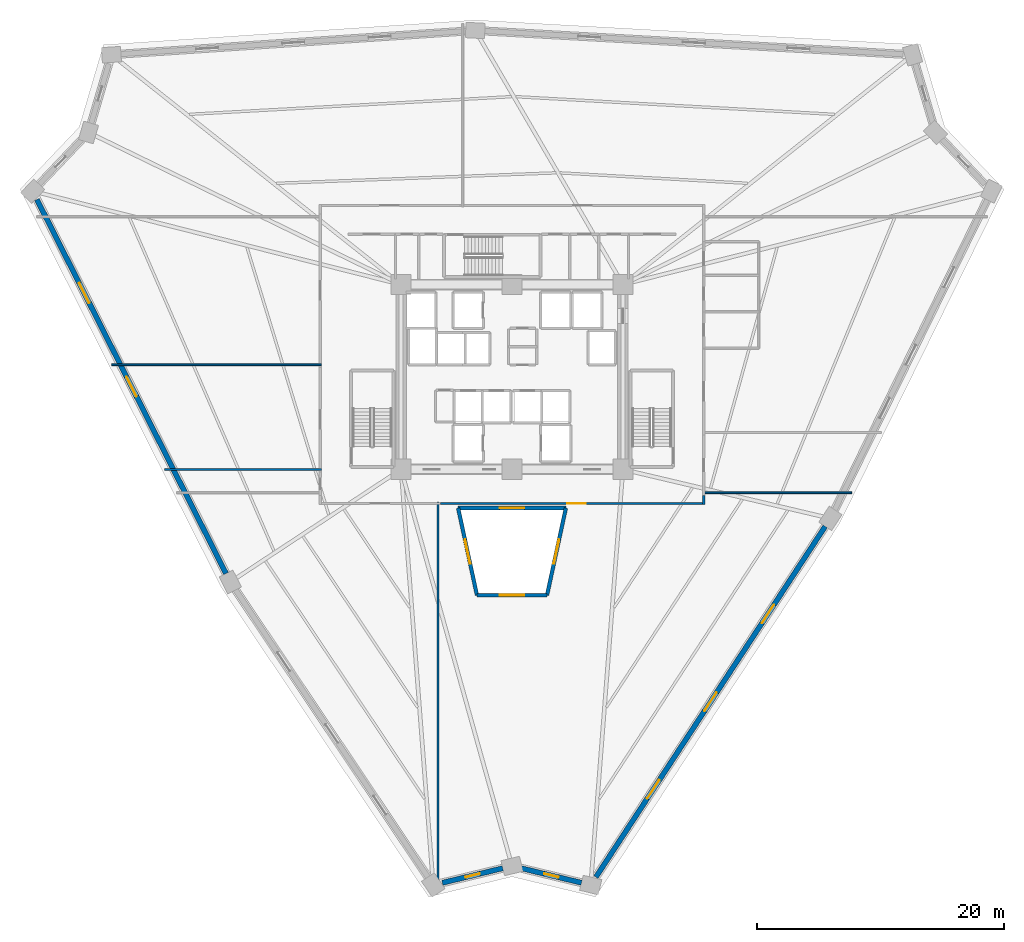
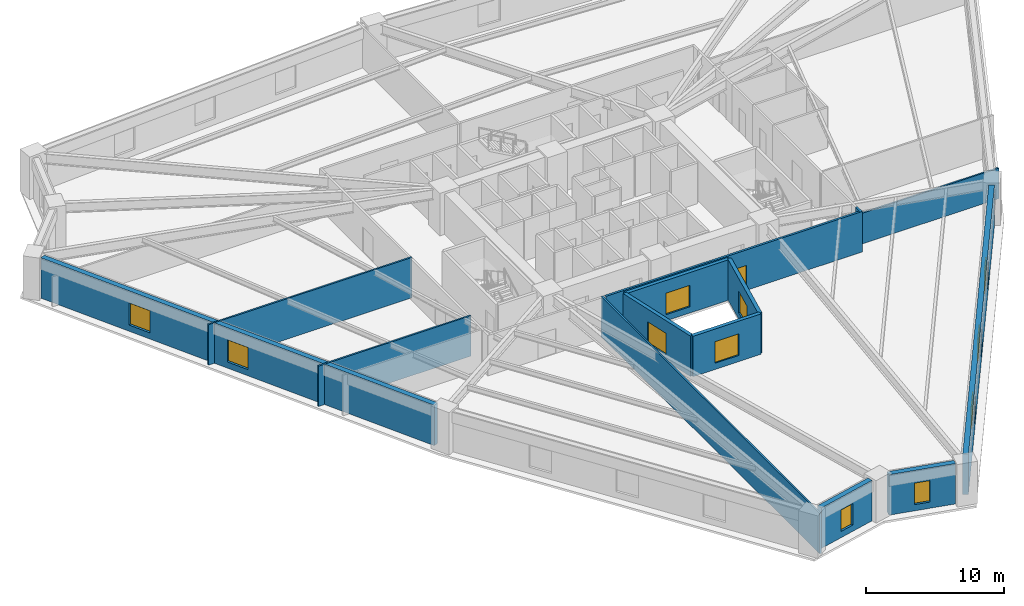
# One storey, part 3 of 8: 14 walls, 11 windows, 1 door, 12 openings.
"""IFC4 building model written with IfcOpenShell, lengths in metres."""

from ifc_helpers import new_model, si_unit, direction, frame, frame_2d, origin, place, context, subcontext, project, spatial, rectangle, extrude, source, transform, mapped, material, layer, layer_set, type_object, element, fill, save


model = new_model("IFC4")

# Units and contexts
model_context = context("Model", 3, precision=1e-05, world=origin(), true_north=direction((0.0, 1.0)))
body_context = subcontext(model_context, "Body", "Model", "MODEL_VIEW")
ifc_project = project(units=[si_unit("LENGTHUNIT", "METRE"), si_unit("AREAUNIT", "SQUARE_METRE"), si_unit("VOLUMEUNIT", "CUBIC_METRE"), si_unit("PLANEANGLEUNIT", "RADIAN"), si_unit("MASSUNIT", "GRAM", prefix="KILO")], contexts=[model_context])

# Site, building, storey
site_placement = place(None, origin())
site = spatial("IfcSite", under=ifc_project, at=site_placement, CompositionType="ELEMENT")
building_placement = place(site_placement, origin())
building = spatial("IfcBuilding", under=site, at=building_placement, Name="Liaohun Quay Tower", CompositionType="ELEMENT")
storey_placement = place(building_placement, frame((0.0, 0.0, 39.75)))
storey = spatial("IfcBuildingStorey", under=building, at=storey_placement, Name="L10", CompositionType="ELEMENT", Elevation=39.75)

# Wall, opening, window
ifc_material_1 = material(Name="Concrete C50", Category="concrete")
ifc_layer_1 = layer(ifc_material_1, 0.300048828125, Name="Concrete C50", Category="concrete")
ifc_layer_set_1 = layer_set([ifc_layer_1], Name="Concrete C50")
wall_type_1 = type_object("IfcWallType", Name="WAL-ATR-300", PredefinedType="SOLIDWALL", material=ifc_layer_set_1)
wall_1_placement = place(storey_placement, frame((57.157958984375, 36.291015625, 0.0), z_axis=(0.0, 0.0, 1.0), x_axis=(-0.211384142555, 0.977403061319, 0.0)))
wall_1 = element("IfcWall", 1, at=wall_1_placement, inside=storey, type_object=wall_type_1, Name="L10 Atrium Fire Compartment Wall 1", PredefinedType="SOLIDWALL", context=body_context, shape_type="SweptSolid", body=[
    extrude(rectangle(XDim=7.24267578125, YDim=0.300048828125, at=frame_2d((3.621337890625, 0.0))), origin(), (0.0, 0.0, 1.0), 3.570068359375),
])
shared_shape_1 = source(origin(), body_context, "Body", "SweptSolid", [
    extrude(rectangle(XDim=2.0, YDim=1.89990234375, at=frame_2d((1.0, 0.949951171875))), frame((0.0, 0.159912109375, 0.0), z_axis=(0.0, -1.0, 0.0), x_axis=(1.0, 0.0, 0.0)), (0.0, 0.0, 1.0), 0.320068359375),
])
opening_1_placement = place(wall_1_placement, frame((2.62109375, 0.0, 0.550048828125)))
opening_1 = element("IfcOpeningElement", 2, at=opening_1_placement, cuts=wall_1, Name="Opening W07", PredefinedType="OPENING", context=body_context, shape_type="MappedRepresentation", body=[
    mapped(shared_shape_1, transform((0.0, 0.0, 0.0), x_axis=(1.0, 0.0, 0.0), y_axis=(0.0, 1.0, 0.0), z_axis=(0.0, 0.0, 1.0), scale=1.0)),
])
ifc_material_2 = material(Name="Class A 180-min fire-resistant insulated glazing", Category="glass")
window_type_1 = type_object("IfcWindowType", Name="WIN-ATR-FIR", PartitioningType="DOUBLE_PANEL_VERTICAL", PredefinedType="WINDOW", material=ifc_material_2)
shared_shape_2 = source(origin(), body_context, "Body", "SweptSolid", [
    extrude(rectangle(XDim=2.0, YDim=1.89990234375, at=frame_2d((1.0, 0.949951171875))), frame((0.0, 0.030029296875, 0.0), z_axis=(0.0, -1.0, 0.0), x_axis=(1.0, 0.0, 0.0)), (0.0, 0.0, 1.0), 0.06005859375),
])
window_1_placement = place(opening_1_placement, origin())
window_1 = element("IfcWindow", 3, at=window_1_placement, inside=storey, type_object=window_type_1, Name="L10 Atrium Fire-Resistant Glazing W07-1", OverallHeight=1.89990234375, OverallWidth=2.0, PartitioningType="DOUBLE_PANEL_VERTICAL", PredefinedType="WINDOW", context=body_context, shape_type="MappedRepresentation", body=[
    mapped(shared_shape_2, transform((0.0, 0.0, 0.0), x_axis=(1.0, 0.0, 0.0), y_axis=(0.0, 1.0, 0.0), z_axis=(0.0, 0.0, 1.0), scale=1.0)),
])
fill(opening_1, window_1)

wall_2_placement = place(storey_placement, frame((55.626953125, 43.3701171875, 0.0), z_axis=(0.0, 0.0, 1.0), x_axis=(1.0, 0.0, 0.0)))
wall_2 = element("IfcWall", 4, at=wall_2_placement, inside=storey, type_object=wall_type_1, Name="L10 Atrium Fire Compartment Wall 2", PredefinedType="SOLIDWALL", context=body_context, shape_type="SweptSolid", body=[
    extrude(rectangle(XDim=8.74609375, YDim=0.300048828125, at=frame_2d((4.373046875, 0.0))), origin(), (0.0, 0.0, 1.0), 3.570068359375),
])
opening_2_placement = place(wall_2_placement, frame((3.373046875, 0.0, 0.550048828125)))
opening_2 = element("IfcOpeningElement", 5, at=opening_2_placement, cuts=wall_2, Name="Opening W07", PredefinedType="OPENING", context=body_context, shape_type="MappedRepresentation", body=[
    mapped(shared_shape_1, transform((0.0, 0.0, 0.0), x_axis=(1.0, 0.0, 0.0), y_axis=(0.0, 1.0, 0.0), z_axis=(0.0, 0.0, 1.0), scale=1.0)),
])
window_2_placement = place(opening_2_placement, origin())
window_2 = element("IfcWindow", 6, at=window_2_placement, inside=storey, type_object=window_type_1, Name="L10 Atrium Fire-Resistant Glazing W07-2", OverallHeight=1.89990234375, OverallWidth=2.0, PartitioningType="DOUBLE_PANEL_VERTICAL", PredefinedType="WINDOW", context=body_context, shape_type="MappedRepresentation", body=[
    mapped(shared_shape_2, transform((0.0, 0.0, 0.0), x_axis=(1.0, 0.0, 0.0), y_axis=(0.0, 1.0, 0.0), z_axis=(0.0, 0.0, 1.0), scale=1.0)),
])
fill(opening_2, window_2)

wall_3_placement = place(storey_placement, frame((64.373046875, 43.3701171875, 0.0), z_axis=(0.0, 0.0, 1.0), x_axis=(-0.211384142555, -0.977403061319, 0.0)))
wall_3 = element("IfcWall", 7, at=wall_3_placement, inside=storey, type_object=wall_type_1, Name="L10 Atrium Fire Compartment Wall 3", PredefinedType="SOLIDWALL", context=body_context, shape_type="SweptSolid", body=[
    extrude(rectangle(XDim=7.24267578125, YDim=0.300048828125, at=frame_2d((3.621337890625, 0.0))), origin(), (0.0, 0.0, 1.0), 3.570068359375),
])
opening_3_placement = place(wall_3_placement, frame((2.62109375, 0.0, 0.550048828125)))
opening_3 = element("IfcOpeningElement", 8, at=opening_3_placement, cuts=wall_3, Name="Opening W07", PredefinedType="OPENING", context=body_context, shape_type="MappedRepresentation", body=[
    mapped(shared_shape_1, transform((0.0, 0.0, 0.0), x_axis=(1.0, 0.0, 0.0), y_axis=(0.0, 1.0, 0.0), z_axis=(0.0, 0.0, 1.0), scale=1.0)),
])
window_3_placement = place(opening_3_placement, origin())
window_3 = element("IfcWindow", 9, at=window_3_placement, inside=storey, type_object=window_type_1, Name="L10 Atrium Fire-Resistant Glazing W07-3", OverallHeight=1.89990234375, OverallWidth=2.0, PartitioningType="DOUBLE_PANEL_VERTICAL", PredefinedType="WINDOW", context=body_context, shape_type="MappedRepresentation", body=[
    mapped(shared_shape_2, transform((0.0, 0.0, 0.0), x_axis=(1.0, 0.0, 0.0), y_axis=(0.0, 1.0, 0.0), z_axis=(0.0, 0.0, 1.0), scale=1.0)),
])
fill(opening_3, window_3)

wall_4_placement = place(storey_placement, frame((62.842041015625, 36.291015625, 0.0), z_axis=(0.0, 0.0, 1.0), x_axis=(-1.0, 0.0, 0.0)))
wall_4 = element("IfcWall", 10, at=wall_4_placement, inside=storey, type_object=wall_type_1, Name="L10 Atrium Fire Compartment Wall 4", PredefinedType="SOLIDWALL", context=body_context, shape_type="SweptSolid", body=[
    extrude(rectangle(XDim=5.68408203125, YDim=0.300048828125, at=frame_2d((2.842041015625, 0.0))), origin(), (0.0, 0.0, 1.0), 3.570068359375),
])
opening_4_placement = place(wall_4_placement, frame((1.842041015625, 0.0, 0.550048828125)))
opening_4 = element("IfcOpeningElement", 11, at=opening_4_placement, cuts=wall_4, Name="Opening W07", PredefinedType="OPENING", context=body_context, shape_type="MappedRepresentation", body=[
    mapped(shared_shape_1, transform((0.0, 0.0, 0.0), x_axis=(1.0, 0.0, 0.0), y_axis=(0.0, 1.0, 0.0), z_axis=(0.0, 0.0, 1.0), scale=1.0)),
])
window_4_placement = place(opening_4_placement, origin())
window_4 = element("IfcWindow", 12, at=window_4_placement, inside=storey, type_object=window_type_1, Name="L10 Atrium Fire-Resistant Glazing W07-4", OverallHeight=1.89990234375, OverallWidth=2.0, PartitioningType="DOUBLE_PANEL_VERTICAL", PredefinedType="WINDOW", context=body_context, shape_type="MappedRepresentation", body=[
    mapped(shared_shape_2, transform((0.0, 0.0, 0.0), x_axis=(1.0, 0.0, 0.0), y_axis=(0.0, 1.0, 0.0), z_axis=(0.0, 0.0, 1.0), scale=1.0)),
])
fill(opening_4, window_4)

ifc_material_3 = material(Name="Precast concrete C50 insulated sandwich", Category="concrete")
ifc_layer_2 = layer(ifc_material_3, 0.419921875, Name="Precast concrete C50 insulated sandwich", Category="concrete")
ifc_layer_set_2 = layer_set([ifc_layer_2], Name="Precast concrete C50 insulated sandwich")
wall_type_2 = type_object("IfcWallType", Name="WAL-EXT-Z12", PredefinedType="SOLIDWALL", material=ifc_layer_set_2)
wall_5_placement = place(storey_placement, frame((60.743896484375, 14.14404296875, 0.0), z_axis=(0.0, 0.0, 1.0), x_axis=(0.972101636789, -0.234560030166, 0.0)))
wall_5 = element("IfcWall", 13, at=wall_5_placement, inside=storey, type_object=wall_type_2, Name="L10 Brutalist Precast Pier Wall 01", PredefinedType="SOLIDWALL", context=body_context, shape_type="SweptSolid", body=[
    extrude(rectangle(XDim=5.039794921875, YDim=0.419921875, at=frame_2d((2.52001953125, 0.0))), origin(), (0.0, 0.0, 1.0), 3.570068359375),
])
shared_shape_3 = source(origin(), body_context, "Body", "SweptSolid", [
    extrude(rectangle(XDim=1.199951171875, YDim=1.89990234375, at=frame_2d((0.60009765625, 0.949951171875))), frame((0.0, 0.219970703125, 0.0), z_axis=(0.0, -1.0, 0.0), x_axis=(1.0, 0.0, 0.0)), (0.0, 0.0, 1.0), 0.43994140625),
])
opening_5_placement = place(wall_5_placement, frame((1.919921875, 0.0, 0.550048828125)))
opening_5 = element("IfcOpeningElement", 14, at=opening_5_placement, cuts=wall_5, Name="Opening W05", PredefinedType="OPENING", context=body_context, shape_type="MappedRepresentation", body=[
    mapped(shared_shape_3, transform((0.0, 0.0, 0.0), x_axis=(1.0, 0.0, 0.0), y_axis=(0.0, 1.0, 0.0), z_axis=(0.0, 0.0, 1.0), scale=1.0)),
])
ifc_material_4 = material(Name="Triple Low-E corner notch glazing", Category="glass")
window_type_2 = type_object("IfcWindowType", Name="WIN-NOTCH", PartitioningType="SINGLE_PANEL", PredefinedType="WINDOW", material=ifc_material_4)
shared_shape_4 = source(origin(), body_context, "Body", "SweptSolid", [
    extrude(rectangle(XDim=1.199951171875, YDim=1.89990234375, at=frame_2d((0.60009765625, 0.949951171875))), frame((0.0, 0.030029296875, 0.0), z_axis=(0.0, -1.0, 0.0), x_axis=(1.0, 0.0, 0.0)), (0.0, 0.0, 1.0), 0.06005859375),
])
window_5_placement = place(opening_5_placement, origin())
window_5 = element("IfcWindow", 15, at=window_5_placement, inside=storey, type_object=window_type_2, Name="L10 Corner Notch Window W05-01", OverallHeight=1.89990234375, OverallWidth=1.199951171875, PartitioningType="SINGLE_PANEL", PredefinedType="WINDOW", context=body_context, shape_type="MappedRepresentation", body=[
    mapped(shared_shape_4, transform((0.0, 0.0, 0.0), x_axis=(1.0, 0.0, 0.0), y_axis=(0.0, 1.0, 0.0), z_axis=(0.0, 0.0, 1.0), scale=1.0)),
])
fill(opening_5, window_5)

# Wall, openings, windows
wall_6_placement = place(storey_placement, frame((66.805908203125, 13.422119140625, 0.0), z_axis=(0.0, 0.0, 1.0), x_axis=(0.547237369938, 0.836977455457, 0.0)))
wall_6 = element("IfcWall", 16, at=wall_6_placement, inside=storey, type_object=wall_type_2, Name="L10 Brutalist Precast Pier Wall 02", PredefinedType="SOLIDWALL", context=body_context, shape_type="SweptSolid", body=[
    extrude(rectangle(XDim=34.005615234375, YDim=0.419921875, at=frame_2d((17.0029296875, 0.0))), origin(), (0.0, 0.0, 1.0), 3.570068359375),
])
shared_shape_5 = source(origin(), body_context, "Body", "SweptSolid", [
    extrude(rectangle(XDim=1.800048828125, YDim=1.949951171875, at=frame_2d((0.89990234375, 0.97509765625))), frame((0.0, 0.219970703125, 0.0), z_axis=(0.0, -1.0, 0.0), x_axis=(1.0, 0.0, 0.0)), (0.0, 0.0, 1.0), 0.43994140625),
])
opening_6_placement = place(wall_6_placement, frame((7.60107421875, 0.0, 0.550048828125)))
opening_6 = element("IfcOpeningElement", 17, at=opening_6_placement, cuts=wall_6, Name="Opening W01", PredefinedType="OPENING", context=body_context, shape_type="MappedRepresentation", body=[
    mapped(shared_shape_5, transform((0.0, 0.0, 0.0), x_axis=(1.0, 0.0, 0.0), y_axis=(0.0, 1.0, 0.0), z_axis=(0.0, 0.0, 1.0), scale=1.0)),
])
opening_7_placement = place(wall_6_placement, frame((16.10302734375, 0.0, 0.550048828125)))
opening_7 = element("IfcOpeningElement", 18, at=opening_7_placement, cuts=wall_6, Name="Opening W01", PredefinedType="OPENING", context=body_context, shape_type="MappedRepresentation", body=[
    mapped(shared_shape_5, transform((0.0, 0.0, 0.0), x_axis=(1.0, 0.0, 0.0), y_axis=(0.0, 1.0, 0.0), z_axis=(0.0, 0.0, 1.0), scale=1.0)),
])
opening_8_placement = place(wall_6_placement, frame((24.60400390625, 0.0, 0.550048828125)))
opening_8 = element("IfcOpeningElement", 19, at=opening_8_placement, cuts=wall_6, Name="Opening W01", PredefinedType="OPENING", context=body_context, shape_type="MappedRepresentation", body=[
    mapped(shared_shape_5, transform((0.0, 0.0, 0.0), x_axis=(1.0, 0.0, 0.0), y_axis=(0.0, 1.0, 0.0), z_axis=(0.0, 0.0, 1.0), scale=1.0)),
])
ifc_material_5 = material(Name="Triple Low-E argon glazing in thermally broken aluminium", Category="aluminium")
window_type_3 = type_object("IfcWindowType", Name="WIN-PUN-Z1", PartitioningType="DOUBLE_PANEL_VERTICAL", PredefinedType="WINDOW", material=ifc_material_5)
shared_shape_6 = source(origin(), body_context, "Body", "SweptSolid", [
    extrude(rectangle(XDim=1.800048828125, YDim=1.949951171875, at=frame_2d((0.89990234375, 0.97509765625))), frame((0.0, 0.030029296875, 0.0), z_axis=(0.0, -1.0, 0.0), x_axis=(1.0, 0.0, 0.0)), (0.0, 0.0, 1.0), 0.06005859375),
])
window_6_placement = place(opening_6_placement, origin())
window_6 = element("IfcWindow", 20, at=window_6_placement, inside=storey, type_object=window_type_3, Name="L10 Recessed Cold-Climate Punched Window 02-1", OverallHeight=1.949951171875, OverallWidth=1.800048828125, PartitioningType="DOUBLE_PANEL_VERTICAL", PredefinedType="WINDOW", context=body_context, shape_type="MappedRepresentation", body=[
    mapped(shared_shape_6, transform((0.0, 0.0, 0.0), x_axis=(1.0, 0.0, 0.0), y_axis=(0.0, 1.0, 0.0), z_axis=(0.0, 0.0, 1.0), scale=1.0)),
])
fill(opening_6, window_6)
window_7_placement = place(opening_7_placement, origin())
window_7 = element("IfcWindow", 21, at=window_7_placement, inside=storey, type_object=window_type_3, Name="L10 Recessed Cold-Climate Punched Window 02-2", OverallHeight=1.949951171875, OverallWidth=1.800048828125, PartitioningType="DOUBLE_PANEL_VERTICAL", PredefinedType="WINDOW", context=body_context, shape_type="MappedRepresentation", body=[
    mapped(shared_shape_6, transform((0.0, 0.0, 0.0), x_axis=(1.0, 0.0, 0.0), y_axis=(0.0, 1.0, 0.0), z_axis=(0.0, 0.0, 1.0), scale=1.0)),
])
fill(opening_7, window_7)
window_8_placement = place(opening_8_placement, origin())
window_8 = element("IfcWindow", 22, at=window_8_placement, inside=storey, type_object=window_type_3, Name="L10 Recessed Cold-Climate Punched Window 02-3", OverallHeight=1.949951171875, OverallWidth=1.800048828125, PartitioningType="DOUBLE_PANEL_VERTICAL", PredefinedType="WINDOW", context=body_context, shape_type="MappedRepresentation", body=[
    mapped(shared_shape_6, transform((0.0, 0.0, 0.0), x_axis=(1.0, 0.0, 0.0), y_axis=(0.0, 1.0, 0.0), z_axis=(0.0, 0.0, 1.0), scale=1.0)),
])
fill(opening_8, window_8)

wall_7_placement = place(storey_placement, frame((21.4560546875, 68.39501953125, 0.0), z_axis=(0.0, 0.0, 1.0), x_axis=(0.451198099626, -0.892423820219, 0.0)))
wall_7 = element("IfcWall", 23, at=wall_7_placement, inside=storey, type_object=wall_type_2, Name="L10 Brutalist Precast Pier Wall 10", PredefinedType="SOLIDWALL", context=body_context, shape_type="SweptSolid", body=[
    extrude(rectangle(XDim=34.005126953125, YDim=0.419921875, at=frame_2d((17.00244140625, 0.0))), origin(), (0.0, 0.0, 1.0), 3.570068359375),
])
opening_9_placement = place(wall_7_placement, frame((7.60107421875, 0.0, 0.550048828125)))
opening_9 = element("IfcOpeningElement", 24, at=opening_9_placement, cuts=wall_7, Name="Opening W01", PredefinedType="OPENING", context=body_context, shape_type="MappedRepresentation", body=[
    mapped(shared_shape_5, transform((0.0, 0.0, 0.0), x_axis=(1.0, 0.0, 0.0), y_axis=(0.0, 1.0, 0.0), z_axis=(0.0, 0.0, 1.0), scale=1.0)),
])
opening_10_placement = place(wall_7_placement, frame((16.10302734375, 0.0, 0.550048828125)))
opening_10 = element("IfcOpeningElement", 25, at=opening_10_placement, cuts=wall_7, Name="Opening W01", PredefinedType="OPENING", context=body_context, shape_type="MappedRepresentation", body=[
    mapped(shared_shape_5, transform((0.0, 0.0, 0.0), x_axis=(1.0, 0.0, 0.0), y_axis=(0.0, 1.0, 0.0), z_axis=(0.0, 0.0, 1.0), scale=1.0)),
])
window_9_placement = place(opening_9_placement, origin())
window_9 = element("IfcWindow", 26, at=window_9_placement, inside=storey, type_object=window_type_3, Name="L10 Recessed Cold-Climate Punched Window 10-1", OverallHeight=1.949951171875, OverallWidth=1.800048828125, PartitioningType="DOUBLE_PANEL_VERTICAL", PredefinedType="WINDOW", context=body_context, shape_type="MappedRepresentation", body=[
    mapped(shared_shape_6, transform((0.0, 0.0, 0.0), x_axis=(1.0, 0.0, 0.0), y_axis=(0.0, 1.0, 0.0), z_axis=(0.0, 0.0, 1.0), scale=1.0)),
])
fill(opening_9, window_9)
window_10_placement = place(opening_10_placement, origin())
window_10 = element("IfcWindow", 27, at=window_10_placement, inside=storey, type_object=window_type_3, Name="L10 Recessed Cold-Climate Punched Window 10-2", OverallHeight=1.949951171875, OverallWidth=1.800048828125, PartitioningType="DOUBLE_PANEL_VERTICAL", PredefinedType="WINDOW", context=body_context, shape_type="MappedRepresentation", body=[
    mapped(shared_shape_6, transform((0.0, 0.0, 0.0), x_axis=(1.0, 0.0, 0.0), y_axis=(0.0, 1.0, 0.0), z_axis=(0.0, 0.0, 1.0), scale=1.0)),
])
fill(opening_10, window_10)

# Wall, opening, window
wall_8_placement = place(storey_placement, frame((54.35107421875, 12.9599609375, 0.0), z_axis=(0.0, 0.0, 1.0), x_axis=(0.972077261258, 0.234661028177, 0.0)))
wall_8 = element("IfcWall", 28, at=wall_8_placement, inside=storey, type_object=wall_type_2, Name="L10 Brutalist Precast Pier Wall 12", PredefinedType="SOLIDWALL", context=body_context, shape_type="SweptSolid", body=[
    extrude(rectangle(XDim=5.0458984375, YDim=0.419921875, at=frame_2d((2.52294921875, 0.0))), origin(), (0.0, 0.0, 1.0), 3.570068359375),
])
opening_11_placement = place(wall_8_placement, frame((1.923095703125, 0.0, 0.550048828125)))
opening_11 = element("IfcOpeningElement", 29, at=opening_11_placement, cuts=wall_8, Name="Opening W05", PredefinedType="OPENING", context=body_context, shape_type="MappedRepresentation", body=[
    mapped(shared_shape_3, transform((0.0, 0.0, 0.0), x_axis=(1.0, 0.0, 0.0), y_axis=(0.0, 1.0, 0.0), z_axis=(0.0, 0.0, 1.0), scale=1.0)),
])
window_11_placement = place(opening_11_placement, origin())
window_11 = element("IfcWindow", 30, at=window_11_placement, inside=storey, type_object=window_type_2, Name="L10 Corner Notch Window W05-12", OverallHeight=1.89990234375, OverallWidth=1.199951171875, PartitioningType="SINGLE_PANEL", PredefinedType="WINDOW", context=body_context, shape_type="MappedRepresentation", body=[
    mapped(shared_shape_4, transform((0.0, 0.0, 0.0), x_axis=(1.0, 0.0, 0.0), y_axis=(0.0, 1.0, 0.0), z_axis=(0.0, 0.0, 1.0), scale=1.0)),
])
fill(opening_11, window_11)

# Wall, opening, door
ifc_material_6 = material(Name="Autoclaved aerated concrete blockwork", Category="masonry")
ifc_layer_3 = layer(ifc_material_6, 0.179931640625, Name="Autoclaved aerated concrete blockwork", Category="masonry")
ifc_layer_set_3 = layer_set([ifc_layer_3], Name="Autoclaved aerated concrete blockwork")
wall_type_3 = type_object("IfcWallType", Name="WAL-PRT-COR", PredefinedType="PARTITIONING", material=ifc_layer_set_3)
wall_9_placement = place(storey_placement, frame((75.6298828125, 43.739990234375, 0.0), z_axis=(0.0, 0.0, 1.0), x_axis=(-1.0, 0.0, 0.0)))
wall_9 = element("IfcWall", 31, at=wall_9_placement, inside=storey, type_object=wall_type_3, Name="L10 Interior Partition Wall 021", PredefinedType="PARTITIONING", context=body_context, shape_type="SweptSolid", body=[
    extrude(rectangle(XDim=21.414794921875, YDim=0.179931640625, at=frame_2d((10.70751953125, 0.0))), origin(), (0.0, 0.0, 1.0), 3.570068359375),
])
shared_shape_7 = source(origin(), body_context, "Body", "SweptSolid", [
    extrude(rectangle(XDim=1.5, YDim=2.199951171875, at=frame_2d((0.75, 1.10009765625))), frame((0.0, 0.099853515625, 0.0), z_axis=(0.0, -1.0, 0.0), x_axis=(1.0, 0.0, 0.0)), (0.0, 0.0, 1.0), 0.199951171875),
])
opening_12_placement = place(wall_9_placement, frame((9.656982421875, 0.0, 0.0)))
opening_12 = element("IfcOpeningElement", 32, at=opening_12_placement, cuts=wall_9, Name="Opening OD2", PredefinedType="OPENING", context=body_context, shape_type="MappedRepresentation", body=[
    mapped(shared_shape_7, transform((0.0, 0.0, 0.0), x_axis=(1.0, 0.0, 0.0), y_axis=(0.0, 1.0, 0.0), z_axis=(0.0, 0.0, 1.0), scale=1.0)),
])
ifc_material_7 = material(Name="Acoustic oak veneer double door")
door_type = type_object("IfcDoorType", Name="DOR-OFF-1500", OperationType="DOUBLE_DOOR_SINGLE_SWING", PredefinedType="DOOR", material=ifc_material_7)
shared_shape_8 = source(origin(), body_context, "Body", "SweptSolid", [
    extrude(rectangle(XDim=1.5, YDim=2.199951171875, at=frame_2d((0.75, 1.10009765625))), frame((0.0, 0.02490234375, 0.0), z_axis=(0.0, -1.0, 0.0), x_axis=(1.0, 0.0, 0.0)), (0.0, 0.0, 1.0), 0.050048828125),
])
door_placement = place(opening_12_placement, origin())
door = element("IfcDoor", 33, at=door_placement, inside=storey, type_object=door_type, Name="L10 Staff Daycare Nursery 08 Door", OperationType="DOUBLE_DOOR_SINGLE_SWING", OverallHeight=2.199951171875, OverallWidth=1.5, PredefinedType="DOOR", context=body_context, shape_type="MappedRepresentation", body=[
    mapped(shared_shape_8, transform((0.0, 0.0, 0.0), x_axis=(1.0, 0.0, 0.0), y_axis=(0.0, 1.0, 0.0), z_axis=(0.0, 0.0, 1.0), scale=1.0)),
])
fill(opening_12, door)

# Walls
wall_10_placement = place(storey_placement, frame((75.56005859375, 44.385009765625, 0.0), z_axis=(0.0, 0.0, 1.0), x_axis=(0.0, -1.0, 0.0)))
element("IfcWall", 34, at=wall_10_placement, inside=storey, type_object=wall_type_3, Name="L10 Interior Partition Wall 042", PredefinedType="PARTITIONING", context=body_context, shape_type="SweptSolid", body=[
    extrude(rectangle(XDim=0.715087890625, YDim=0.179931640625, at=frame_2d((0.357421875, 0.0))), origin(), (0.0, 0.0, 1.0), 3.570068359375),
])
ifc_material_8 = material(Name="Gypsum board on twin steel studs", Category="steel")
ifc_layer_4 = layer(ifc_material_8, 0.139892578125, Name="Gypsum board on twin steel studs", Category="steel")
ifc_layer_set_4 = layer_set([ifc_layer_4], Name="Gypsum board on twin steel studs")
wall_type_4 = type_object("IfcWallType", Name="WAL-PRT-OFF", PredefinedType="PARTITIONING", material=ifc_layer_set_4)
wall_11_placement = place(storey_placement, frame((44.5400390625, 46.5, 0.0), z_axis=(0.0, 0.0, 1.0), x_axis=(-1.0, 0.0, 0.0)))
element("IfcWall", 35, at=wall_11_placement, inside=storey, type_object=wall_type_4, Name="L10 Interior Partition Wall 044", PredefinedType="PARTITIONING", context=body_context, shape_type="SweptSolid", body=[
    extrude(rectangle(XDim=12.719970703125, YDim=0.139892578125, at=frame_2d((6.35986328125, 0.0))), origin(), (0.0, 0.0, 1.0), 3.570068359375),
])
wall_12_placement = place(storey_placement, frame((44.5400390625, 55.0, 0.0), z_axis=(0.0, 0.0, 1.0), x_axis=(-1.0, 0.0, 0.0)))
element("IfcWall", 36, at=wall_12_placement, inside=storey, type_object=wall_type_4, Name="L10 Interior Partition Wall 045", PredefinedType="PARTITIONING", context=body_context, shape_type="SweptSolid", body=[
    extrude(rectangle(XDim=17.01708984375, YDim=0.139892578125, at=frame_2d((8.508544921875, 0.0))), origin(), (0.0, 0.0, 1.0), 3.570068359375),
])
wall_13_placement = place(storey_placement, frame((75.4599609375, 44.60009765625, 0.0), z_axis=(0.0, 0.0, 1.0), x_axis=(1.0, 0.0, 0.0)))
element("IfcWall", 37, at=wall_13_placement, inside=storey, type_object=wall_type_4, Name="L10 Interior Partition Wall 047", PredefinedType="PARTITIONING", context=body_context, shape_type="SweptSolid", body=[
    extrude(rectangle(XDim=12.09814453125, YDim=0.139892578125, at=frame_2d((6.049072265625, 0.0))), origin(), (0.0, 0.0, 1.0), 2.705078125),
])
wall_14_placement = place(storey_placement, frame((54.0, 43.840087890625, 0.0), z_axis=(0.0, 0.0, 1.0), x_axis=(0.0, -1.0, 0.0)))
element("IfcWall", 38, at=wall_14_placement, inside=storey, type_object=wall_type_4, Name="L10 Interior Partition Wall 051", PredefinedType="PARTITIONING", context=body_context, shape_type="SweptSolid", body=[
    extrude(rectangle(XDim=31.613037109375, YDim=0.139892578125, at=frame_2d((15.806640625, 0.0))), origin(), (0.0, 0.0, 1.0), 3.570068359375),
])

save(model, "model.ifc")
